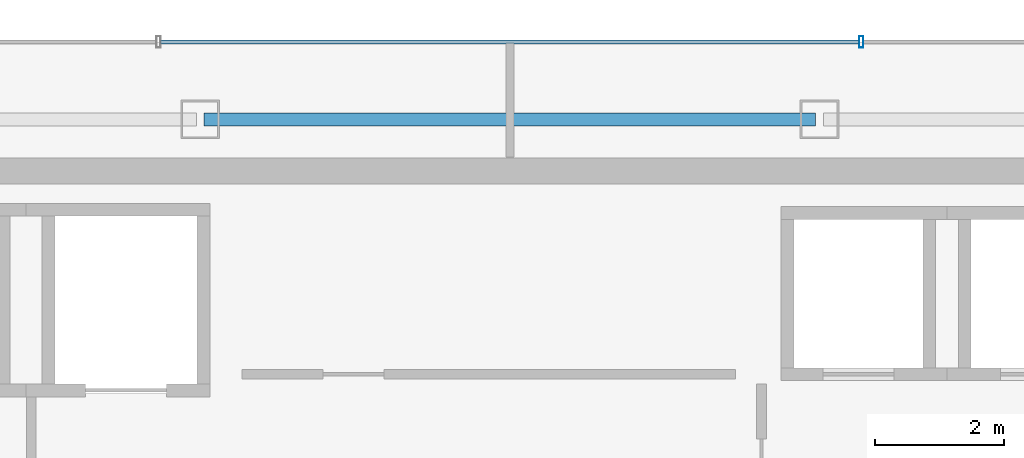
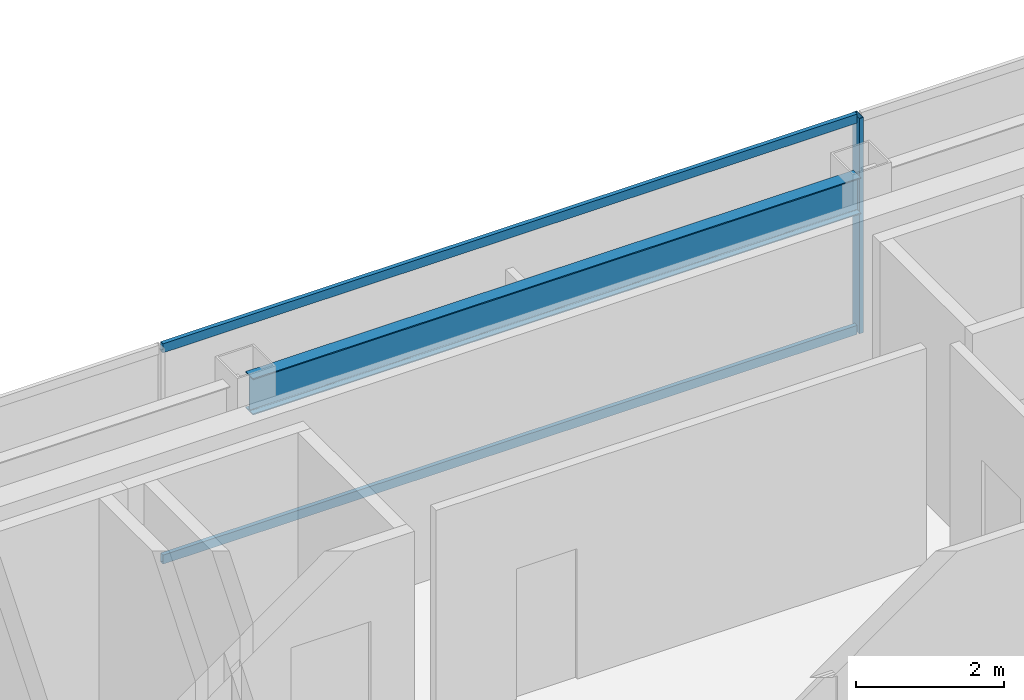
# One storey, part 6 of 17: 3 members, 1 beam, 1 element without a shape of its own.
"""IFC4 building model written with IfcOpenShell, lengths in metres."""

from ifc_helpers import new_model, si_unit, direction, frame, origin, origin_2d, place, context, subcontext, project, spatial, hollow_rectangle, i_section, extrude, material, material_profile, profile_set, type_object, element, aggregate, save


model = new_model("IFC4")

# Units and contexts
model_context = context("Model", 3, precision=1e-05, world=origin(), true_north=direction((0.0, 1.0)))
body_context = subcontext(model_context, "Body", "Model", "MODEL_VIEW")
ifc_project = project(units=[si_unit("LENGTHUNIT", "METRE"), si_unit("AREAUNIT", "SQUARE_METRE"), si_unit("VOLUMEUNIT", "CUBIC_METRE"), si_unit("PLANEANGLEUNIT", "RADIAN"), si_unit("MASSUNIT", "GRAM", prefix="KILO")], contexts=[model_context])

# Site, building, storey
site_placement = place(None, origin())
site = spatial("IfcSite", under=ifc_project, at=site_placement, CompositionType="ELEMENT")
building_placement = place(site_placement, origin())
building = spatial("IfcBuilding", under=site, at=building_placement, Name="Saevonmaru Cultural Tower", CompositionType="ELEMENT")
storey_placement = place(building_placement, frame((0.0, 0.0, 310.39990234375)))
storey = spatial("IfcBuildingStorey", under=building, at=storey_placement, Name="L74", CompositionType="ELEMENT", Elevation=310.39990234375)

# Beam
ifc_material_1 = material(Name="Steel SM355", Category="steel")
ifc_material_profile_1 = material_profile(ifc_material_1, i_section(OverallWidth=0.199951171875, OverallDepth=0.60009765625, WebThickness=0.010986328125, FlangeThickness=0.01708984375, FilletRadius=0.02197265625, at=origin_2d()), Name="H-600x200x11x17")
ifc_profile_set_1 = profile_set([ifc_material_profile_1], Name="Steel SM355")
beam_type = type_object("IfcBeamType", Name="BM-SP-H600", PredefinedType="SPANDREL", material=ifc_profile_set_1)
beam_placement = place(storey_placement, frame((25.260009765625, 54.800048828125, 3.25), z_axis=(1.0, 0.0, 0.0), x_axis=(0.0, 1.0, 0.0)))
element("IfcBeam", 1, at=beam_placement, inside=storey, type_object=beam_type, Name="L74 North Spine Girder 3", PredefinedType="SPANDREL", context=body_context, shape_type="SweptSolid", body=[
    extrude(i_section(OverallWidth=0.199951171875, OverallDepth=0.60009765625, WebThickness=0.010986328125, FlangeThickness=0.01708984375, FilletRadius=0.02197265625, at=origin_2d()), origin(), (0.0, 0.0, 1.0), 9.47998046875),
])

# Curtain wall, members
ifc_material_2 = material(Name="Satin Bronze Anodised Aluminium", Category="aluminium")
curtain_wall_type = type_object("IfcCurtainWallType", Name="CW-TYP-B", PredefinedType="NOTDEFINED", material=ifc_material_2)
curtain_wall_placement = place(storey_placement, origin())
curtain_wall = element("IfcCurtainWall", 2, at=curtain_wall_placement, inside=storey, type_object=curtain_wall_type, Name="L74 North Spine Unitised Curtain Wall E10B", PredefinedType="NOTDEFINED")
ifc_material_profile_2 = material_profile(ifc_material_2, hollow_rectangle(XDim=0.06494140625, YDim=0.179931640625, WallThickness=0.00390625, at=origin_2d()), Name="ALU-MULL-180x65x4")
ifc_profile_set_2 = profile_set([ifc_material_profile_2], Name="Satin Bronze Anodised Aluminium")
member_type_1 = type_object("IfcMemberType", Name="ML-CW-180x65", PredefinedType="MULLION", material=ifc_profile_set_2)
member_1_placement = place(storey_placement, frame((35.44677734375, 56.0, 0.0), z_axis=(0.0, 0.0, 1.0), x_axis=(-1.0, 0.0, 0.0)))
member_1 = element("IfcMember", 3, at=member_1_placement, type_object=member_type_1, Name="CW-TW-L74-E10B mullion 2", PredefinedType="MULLION", context=body_context, shape_type="SweptSolid", body=[
    extrude(hollow_rectangle(XDim=0.06494140625, YDim=0.179931640625, WallThickness=0.00390625, at=origin_2d()), origin(), (0.0, 0.0, 1.0), 3.550048828125),
])
ifc_material_profile_3 = material_profile(ifc_material_2, hollow_rectangle(XDim=0.06494140625, YDim=0.14990234375, WallThickness=0.00390625, at=origin_2d()), Name="ALU-TRAN-150x65x4")
ifc_profile_set_3 = profile_set([ifc_material_profile_3], Name="Satin Bronze Anodised Aluminium")
member_type_2 = type_object("IfcMemberType", Name="TR-CW-150x65", PredefinedType="USERDEFINED", material=ifc_profile_set_3)
member_2_placement = place(storey_placement, frame((35.4140625, 56.0, 0.03271484375), z_axis=(-1.0, 0.0, 0.0), x_axis=(0.0, -1.0, 0.0)))
member_2 = element("IfcMember", 4, at=member_2_placement, type_object=member_type_2, Name="CW-TW-L74-E10B transom 2.1", ObjectType="TRANSOM", PredefinedType="USERDEFINED", context=body_context, shape_type="SweptSolid", body=[
    extrude(hollow_rectangle(XDim=0.06494140625, YDim=0.14990234375, WallThickness=0.00390625, at=origin_2d()), origin(), (0.0, 0.0, 1.0), 10.828125),
])
member_3_placement = place(storey_placement, frame((35.4140625, 56.0, 3.517578125), z_axis=(-1.0, 0.0, 0.0), x_axis=(0.0, -1.0, 0.0)))
member_3 = element("IfcMember", 5, at=member_3_placement, type_object=member_type_2, Name="CW-TW-L74-E10B transom 2.2", ObjectType="TRANSOM", PredefinedType="USERDEFINED", context=body_context, shape_type="SweptSolid", body=[
    extrude(hollow_rectangle(XDim=0.06494140625, YDim=0.14990234375, WallThickness=0.00390625, at=origin_2d()), origin(), (0.0, 0.0, 1.0), 10.828125),
])
aggregate(curtain_wall, [member_1, member_2, member_3])

save(model, "model.ifc")
